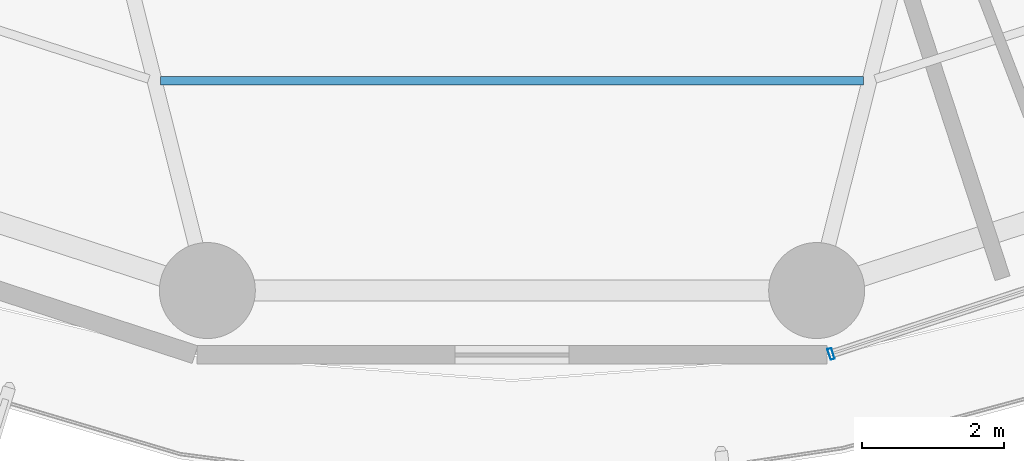
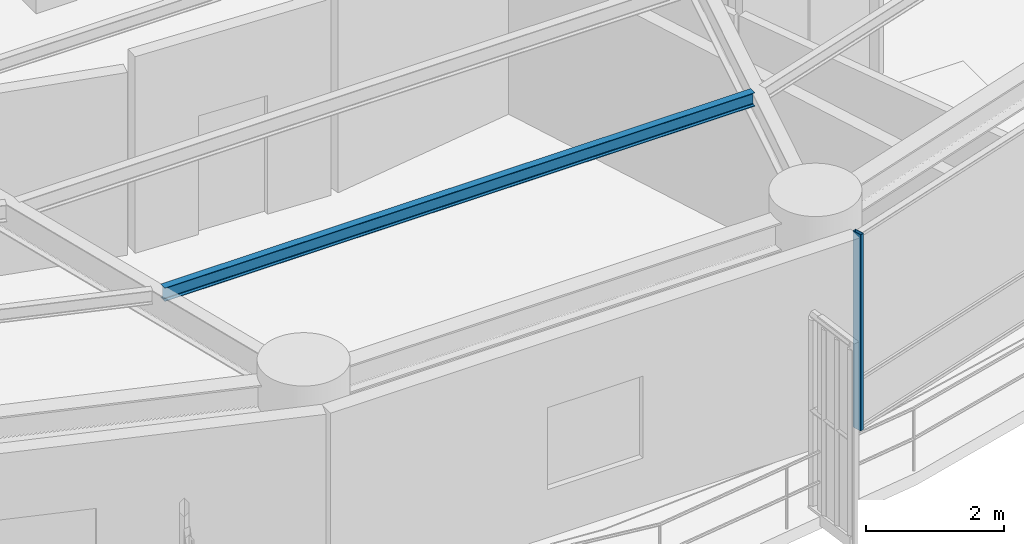
# One storey, part 4 of 37: 1 beam, 1 member, 1 element without a shape of its own.
"""IFC4 building model written with IfcOpenShell, lengths in metres."""

from ifc_helpers import new_model, si_unit, direction, frame, origin, origin_2d, place, context, subcontext, project, spatial, hollow_rectangle, i_section, extrude, material, layer, layer_set, material_profile, profile_set, type_object, element, aggregate, save


model = new_model("IFC4")

# Units and contexts
model_context = context("Model", 3, precision=1e-05, world=origin(), true_north=direction((0.0, 1.0)))
body_context = subcontext(model_context, "Body", "Model", "MODEL_VIEW")
ifc_project = project(units=[si_unit("LENGTHUNIT", "METRE"), si_unit("AREAUNIT", "SQUARE_METRE"), si_unit("VOLUMEUNIT", "CUBIC_METRE"), si_unit("PLANEANGLEUNIT", "RADIAN"), si_unit("MASSUNIT", "GRAM", prefix="KILO")], contexts=[model_context])

# Site, building, storey
site_placement = place(None, origin())
site = spatial("IfcSite", under=ifc_project, at=site_placement, CompositionType="ELEMENT")
building_placement = place(site_placement, origin())
building = spatial("IfcBuilding", under=site, at=building_placement, Name="Kelanora Arch Commons", CompositionType="ELEMENT")
storey_placement = place(building_placement, frame((0.0, 0.0, 110.10009765625)))
storey = spatial("IfcBuildingStorey", under=building, at=storey_placement, Name="L28", CompositionType="ELEMENT", Elevation=110.10009765625)

# Beam
ifc_material_1 = material(Name="Steel S355", Category="steel")
ifc_material_profile_1 = material_profile(ifc_material_1, i_section(OverallWidth=0.1201171875, OverallDepth=0.239990234375, WebThickness=0.006103515625, FlangeThickness=0.009765625, FilletRadius=0.014892578125, at=origin_2d()), Name="IPE240")
ifc_profile_set_1 = profile_set([ifc_material_profile_1], Name="Steel S355")
beam_type = type_object("IfcBeamType", Name="BM-JST-02", PredefinedType="JOIST", material=ifc_profile_set_1)
beam_placement = place(storey_placement, frame((69.056396484375, 39.204345703125, 3.369873046875), z_axis=(1.0, 0.0, 0.0), x_axis=(0.0, 1.0, 0.0)))
element("IfcBeam", 1, at=beam_placement, inside=storey, type_object=beam_type, Name="Secondary Chord Joist BJC-26 L28", PredefinedType="JOIST", context=body_context, shape_type="SweptSolid", body=[
    extrude(i_section(OverallWidth=0.1201171875, OverallDepth=0.239990234375, WebThickness=0.006103515625, FlangeThickness=0.009765625, FilletRadius=0.014892578125, at=origin_2d()), origin(), (0.0, 0.0, 1.0), 9.88720703125),
])

# Curtain wall, member
ifc_material_2 = material(Name="Terracotta ceramic-fritted low-E glass and aluminium", Category="masonry")
ifc_layer = layer(ifc_material_2, 0.159912109375)
ifc_layer_set = layer_set([ifc_layer], Name="Terracotta ceramic-fritted low-E glass and aluminium")
curtain_wall_type = type_object("IfcCurtainWallType", Name="CW-SYS-01", PredefinedType="NOTDEFINED", material=ifc_layer_set)
curtain_wall_placement = place(storey_placement, origin())
curtain_wall = element("IfcCurtainWall", 2, at=curtain_wall_placement, inside=storey, type_object=curtain_wall_type, Name="Unitised Curtain Wall L28-B14", PredefinedType="NOTDEFINED")
ifc_material_3 = material(Name="Powder-coated aluminium terracotta", Category="masonry")
ifc_material_profile_2 = material_profile(ifc_material_3, hollow_rectangle(XDim=0.159912109375, YDim=0.06005859375, WallThickness=0.0048828125, InnerFilletRadius=0.0048828125, OuterFilletRadius=0.010009765625, at=origin_2d()), Name="CWM160x60")
ifc_profile_set_2 = profile_set([ifc_material_profile_2], Name="Powder-coated aluminium terracotta")
member_type = type_object("IfcMemberType", Name="CWM-STD", PredefinedType="MULLION", material=ifc_profile_set_2)
member_placement = place(storey_placement, frame((78.48828125, 35.363525390625, 0.0), z_axis=(0.0, 0.0, 1.0), x_axis=(-0.31080470294, 0.950473795867, 0.0)))
member = element("IfcMember", 3, at=member_placement, type_object=member_type, Name="CW-01 mullion 1", PredefinedType="MULLION", context=body_context, shape_type="SweptSolid", body=[
    extrude(hollow_rectangle(XDim=0.159912109375, YDim=0.06005859375, WallThickness=0.0048828125, InnerFilletRadius=0.0048828125, OuterFilletRadius=0.010009765625, at=origin_2d()), origin(), (0.0, 0.0, 1.0), 3.474853515625),
])
aggregate(curtain_wall, [member])

save(model, "model.ifc")
